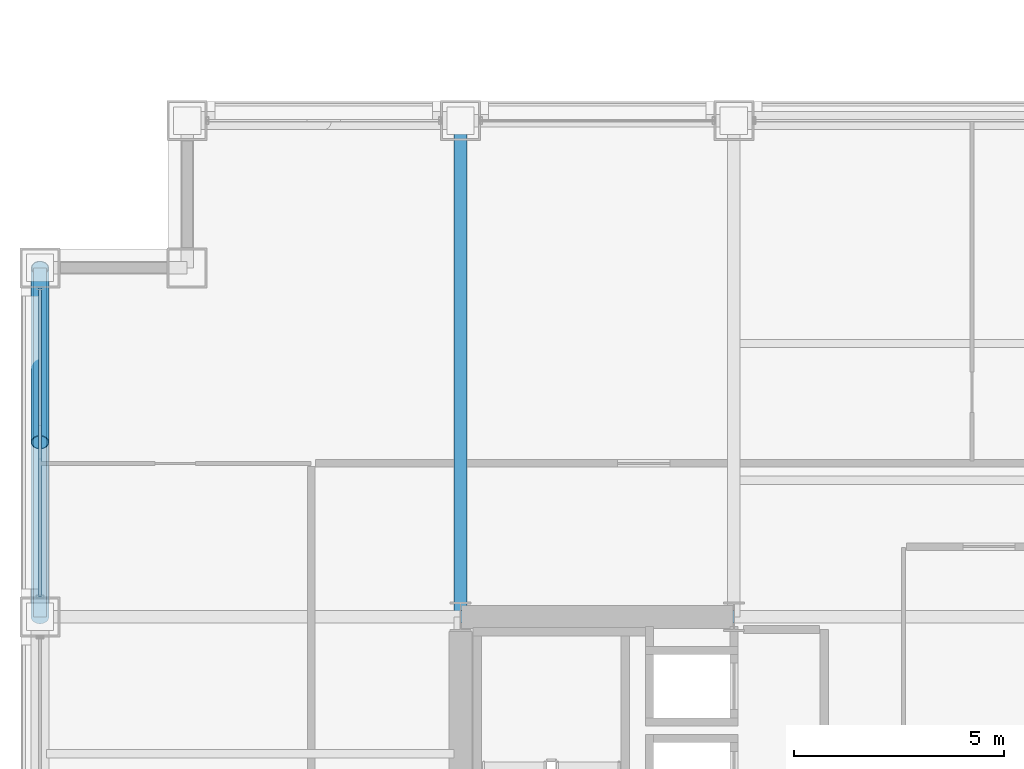
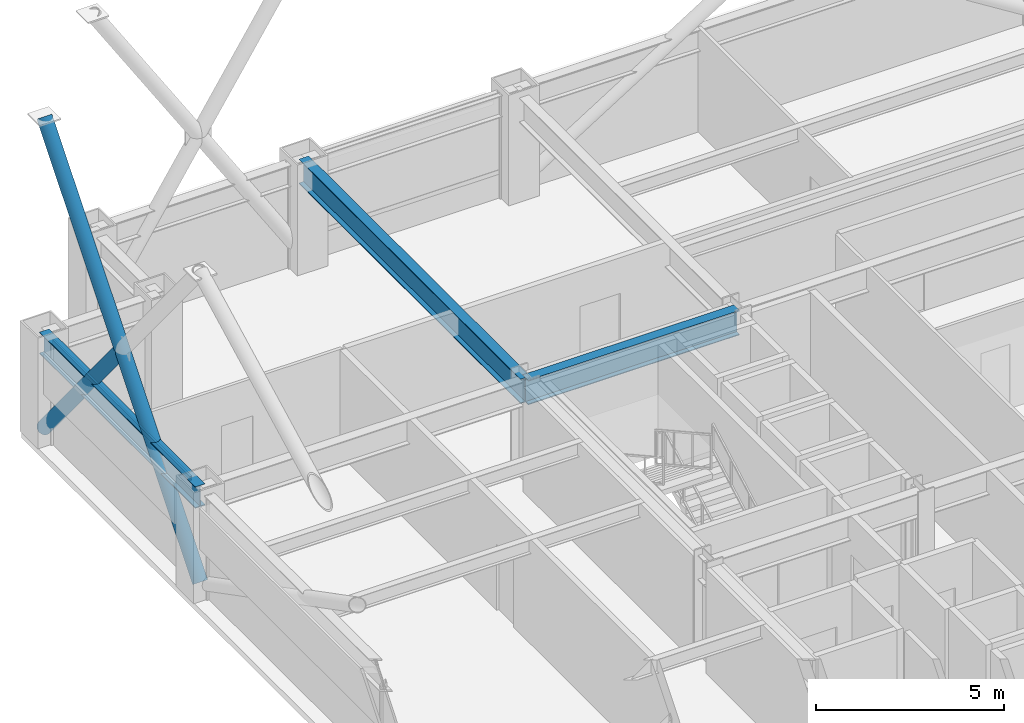
# One storey, part 17 of 33: 3 beams, 3 members, 1 element without a shape of its own.
"""IFC4 building model written with IfcOpenShell, lengths in metres."""

from ifc_helpers import new_model, si_unit, direction, frame, origin, origin_2d, place, context, subcontext, project, spatial, hollow_rectangle, hollow_circle, i_section, extrude, material, layer, layer_set, material_profile, profile_set, type_object, element, aggregate, save


model = new_model("IFC4")

# Units and contexts
model_context = context("Model", 3, precision=1e-05, world=origin(), true_north=direction((0.0, 1.0)))
body_context = subcontext(model_context, "Body", "Model", "MODEL_VIEW")
ifc_project = project(units=[si_unit("LENGTHUNIT", "METRE"), si_unit("AREAUNIT", "SQUARE_METRE"), si_unit("VOLUMEUNIT", "CUBIC_METRE"), si_unit("PLANEANGLEUNIT", "RADIAN"), si_unit("MASSUNIT", "GRAM", prefix="KILO")], contexts=[model_context])

# Site, building, storey
site_placement = place(None, origin())
site = spatial("IfcSite", under=ifc_project, at=site_placement, CompositionType="ELEMENT")
building_placement = place(site_placement, origin())
building = spatial("IfcBuilding", under=site, at=building_placement, Name="Brelmoor Portico Tower", CompositionType="ELEMENT")
storey_placement = place(building_placement, frame((0.0, 0.0, 34.800048828125)))
storey = spatial("IfcBuildingStorey", under=building, at=storey_placement, Name="L08", CompositionType="ELEMENT", Elevation=34.800048828125)

# Beams
ifc_material_1 = material(Name="Steel Q355B", Category="steel")
ifc_material_profile_1 = material_profile(ifc_material_1, i_section(OverallWidth=0.300048828125, OverallDepth=0.800048828125, WebThickness=0.013916015625, FlangeThickness=0.02587890625, at=origin_2d()), Name="HN 800x300x14x26")
ifc_profile_set_1 = profile_set([ifc_material_profile_1], Name="Steel Q355B")
beam_type_1 = type_object("IfcBeamType", Name="BM-PG-800", PredefinedType="BEAM", material=ifc_profile_set_1)
beam_1_placement = place(storey_placement, frame((-14.550048828125, 9.75, 3.0), z_axis=(0.0, 1.0, 0.0), x_axis=(-1.0, 0.0, 0.0)))
element("IfcBeam", 1, at=beam_1_placement, inside=storey, type_object=beam_type_1, Name="L08 Primary Floor Girder PG-06", PredefinedType="BEAM", context=body_context, shape_type="SweptSolid", body=[
    extrude(i_section(OverallWidth=0.300048828125, OverallDepth=0.800048828125, WebThickness=0.013916015625, FlangeThickness=0.02587890625, at=origin_2d()), origin(), (0.0, 0.0, 1.0), 11.800048828125),
])
beam_2_placement = place(storey_placement, frame((-14.550048828125, 9.75, 3.0), z_axis=(1.0, 0.0, 0.0), x_axis=(0.0, 1.0, 0.0)))
element("IfcBeam", 2, at=beam_2_placement, inside=storey, type_object=beam_type_1, Name="L08 Primary Floor Girder PG-28", PredefinedType="BEAM", context=body_context, shape_type="SweptSolid", body=[
    extrude(i_section(OverallWidth=0.300048828125, OverallDepth=0.800048828125, WebThickness=0.013916015625, FlangeThickness=0.02587890625, at=origin_2d()), origin(), (0.0, 0.0, 1.0), 6.5),
])
ifc_material_profile_2 = material_profile(ifc_material_1, i_section(OverallWidth=0.300048828125, OverallDepth=0.699951171875, WebThickness=0.012939453125, FlangeThickness=0.02392578125, at=origin_2d()), Name="HN 700x300x13x24")
ifc_profile_set_2 = profile_set([ifc_material_profile_2], Name="Steel Q355B")
beam_type_2 = type_object("IfcBeamType", Name="BM-SP-700", PredefinedType="SPANDREL", material=ifc_profile_set_2)
beam_3_placement = place(storey_placement, frame((-24.550048828125, 9.75, 3.050048828125), z_axis=(0.0, 1.0, 0.0), x_axis=(-1.0, 0.0, 0.0)))
element("IfcBeam", 3, at=beam_3_placement, inside=storey, type_object=beam_type_2, Name="L08 Perimeter Spandrel Beam SP-17", PredefinedType="SPANDREL", context=body_context, shape_type="SweptSolid", body=[
    extrude(i_section(OverallWidth=0.300048828125, OverallDepth=0.699951171875, WebThickness=0.012939453125, FlangeThickness=0.02392578125, at=origin_2d()), origin(), (0.0, 0.0, 1.0), 8.300048828125),
])

# Members
ifc_material_profile_3 = material_profile(ifc_material_1, hollow_circle(Radius=0.212890625, WallThickness=0.02001953125, at=origin_2d()), Name="CHS 426x20")
ifc_profile_set_3 = profile_set([ifc_material_profile_3], Name="Steel Q355B")
member_type_1 = type_object("IfcMemberType", Name="MB-BELT-DIAG1", PredefinedType="BRACE", material=ifc_profile_set_3)
member_1_placement = place(storey_placement, frame((-24.550048828125, 9.75, 0.25), z_axis=(0.0, 0.634910260742, 0.772585892186), x_axis=(-1.0, 0.0, 0.0)))
element("IfcMember", 4, at=member_1_placement, inside=storey, type_object=member_type_1, Name="L08 Continuous Mega-X Brace 015A", PredefinedType="BRACE", context=body_context, shape_type="SweptSolid", body=[
    extrude(hollow_circle(Radius=0.212890625, WallThickness=0.02001953125, at=origin_2d()), origin(), (0.0, 0.0, 1.0), 13.07275390625),
])
member_2_placement = place(storey_placement, frame((-24.550048828125, 18.050048828125, 0.25), z_axis=(0.0, -0.634912247128, 0.772584259771), x_axis=(1.0, 0.0, 0.0)))
element("IfcMember", 5, at=member_2_placement, inside=storey, type_object=member_type_1, Name="L08 Split Mega-X Brace 015B1", PredefinedType="BRACE", context=body_context, shape_type="SweptSolid", body=[
    extrude(hollow_circle(Radius=0.212890625, WallThickness=0.02001953125, at=origin_2d()), origin(), (0.0, 0.0, 1.0), 6.53662109375),
])

# Curtain wall, member
ifc_material_2 = material(Name="Anodised Aluminium Alloy 6063-T6", Category="aluminium")
ifc_layer = layer(ifc_material_2, 0.179931640625)
ifc_layer_set = layer_set([ifc_layer], Name="Anodised Aluminium Alloy 6063-T6")
curtain_wall_type = type_object("IfcCurtainWallType", Name="CW-TOWER-Z1-XB", PredefinedType="NOTDEFINED", material=ifc_layer_set)
curtain_wall_placement = place(storey_placement, origin())
curtain_wall = element("IfcCurtainWall", 6, at=curtain_wall_placement, inside=storey, type_object=curtain_wall_type, Name="L08 Curtain Wall CW-L08-03-3", PredefinedType="NOTDEFINED")
ifc_material_profile_4 = material_profile(ifc_material_2, hollow_rectangle(XDim=0.06494140625, YDim=0.139892578125, WallThickness=0.00390625, at=origin_2d()), Name="ALU TRANSOM 65x140")
ifc_profile_set_4 = profile_set([ifc_material_profile_4], Name="Anodised Aluminium Alloy 6063-T6")
member_type_2 = type_object("IfcMemberType", Name="MB-CW-TRAN-140", PredefinedType="USERDEFINED", material=ifc_profile_set_4)
member_3_placement = place(storey_placement, frame((-24.550048828125, 10.235107421875, 3.329833984375), z_axis=(0.0, 1.0, 0.0), x_axis=(-1.0, 0.0, 0.0)))
member_3 = element("IfcMember", 7, at=member_3_placement, type_object=member_type_2, Name="CW-L08-03-3 Transom 1-00", ObjectType="TRANSOM", PredefinedType="USERDEFINED", context=body_context, shape_type="SweptSolid", body=[
    extrude(hollow_rectangle(XDim=0.06494140625, YDim=0.139892578125, WallThickness=0.00390625, at=origin_2d()), origin(), (0.0, 0.0, 1.0), 7.329833984375),
])
aggregate(curtain_wall, [member_3])

save(model, "model.ifc")
